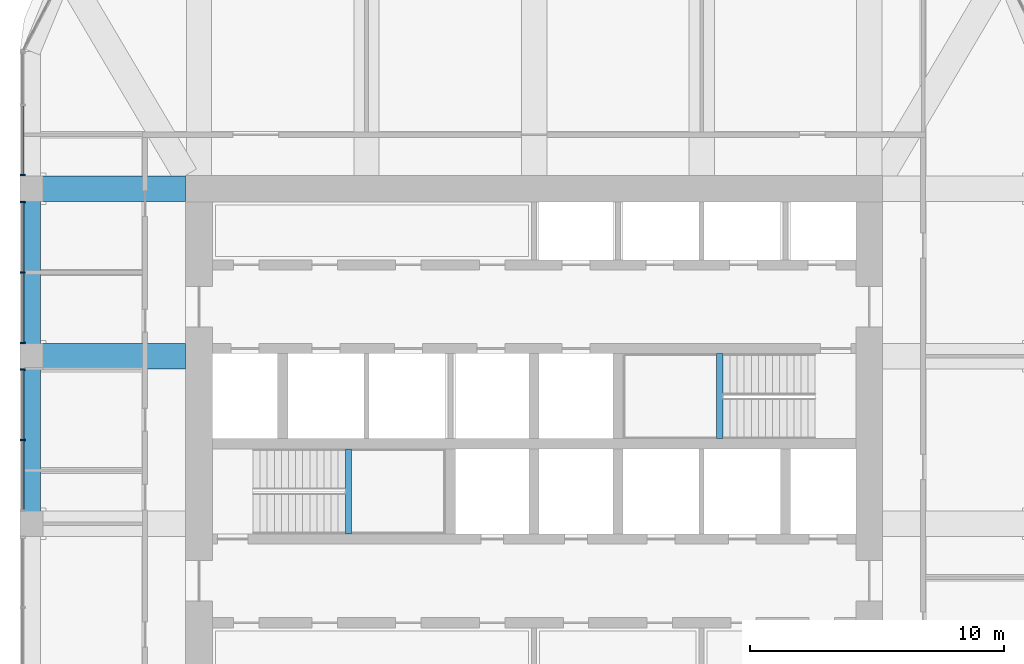
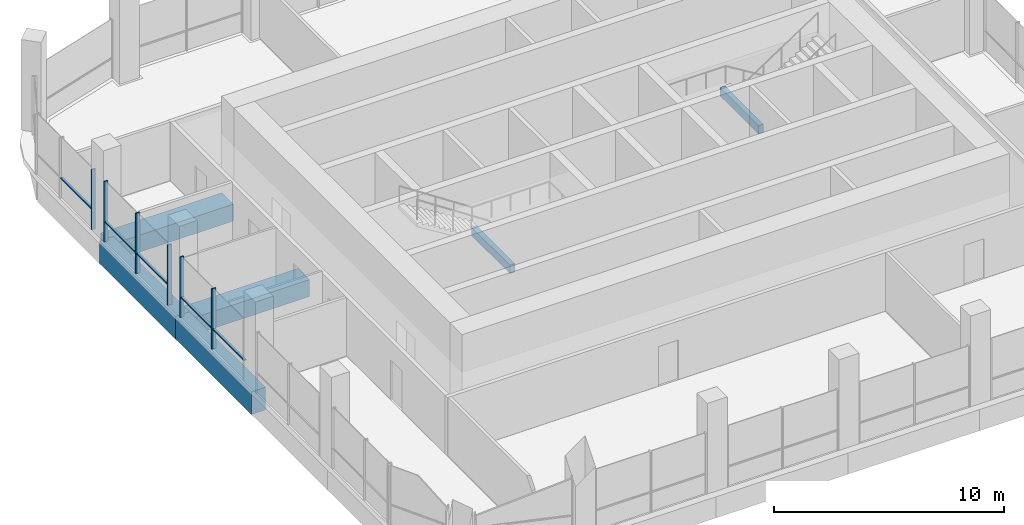
# One storey, part 3 of 13: 11 members, 6 beams, 3 elements without a shape of their own.
"""IFC4 building model written with IfcOpenShell, lengths in metres."""

from ifc_helpers import new_model, si_unit, direction, frame, origin, origin_2d, place, context, subcontext, project, spatial, rectangle, extrude, material, material_profile, profile_set, type_object, element, aggregate, save


model = new_model("IFC4")

# Units and contexts
model_context = context("Model", 3, precision=1e-05, world=origin(), true_north=direction((0.0, 1.0)))
body_context = subcontext(model_context, "Body", "Model", "MODEL_VIEW")
ifc_project = project(units=[si_unit("LENGTHUNIT", "METRE"), si_unit("AREAUNIT", "SQUARE_METRE"), si_unit("VOLUMEUNIT", "CUBIC_METRE"), si_unit("PLANEANGLEUNIT", "RADIAN"), si_unit("MASSUNIT", "GRAM", prefix="KILO")], contexts=[model_context])

# Site, building, storey
site_placement = place(None, origin())
site = spatial("IfcSite", under=ifc_project, at=site_placement, CompositionType="ELEMENT")
building_placement = place(site_placement, origin())
building = spatial("IfcBuilding", under=site, at=building_placement, Name="Cobogo Forest Laboratory Tower", CompositionType="ELEMENT")
storey_placement = place(building_placement, frame((0.0, 0.0, 288.0)))
storey = spatial("IfcBuildingStorey", under=building, at=storey_placement, Name="L66", CompositionType="ELEMENT", Elevation=288.0)

# Beams
ifc_material_1 = material(Name="Concrete HA-40 (C40/50)", Category="concrete")
ifc_material_profile_1 = material_profile(ifc_material_1, rectangle(XDim=0.25, YDim=0.449951171875, at=origin_2d()), Name="RC 250x450")
ifc_profile_set_1 = profile_set([ifc_material_profile_1], Name="Concrete HA-40 (C40/50)")
beam_type_1 = type_object("IfcBeamType", Name="LB1 landing beam 250x450", PredefinedType="BEAM", material=ifc_profile_set_1)
for number, where, z_axis, x_axis, name in (
    (1, (19.090087890625, 19.39990234375, 1.97509765625), (0.0, 1.0, 0.0), (-1.0, 0.0, 0.0), "Landing beam ST1 L66"),
    (2, (33.7099609375, 23.14990234375, 1.97509765625), (0.0, 1.0, 0.0), (-1.0, 0.0, 0.0), "Landing beam ST2 L66"),
):
    element("IfcBeam", number, at=place(storey_placement, frame(where, z_axis=z_axis, x_axis=x_axis)), inside=storey, type_object=beam_type_1, Name=name, PredefinedType="BEAM", context=body_context, shape_type="SweptSolid", body=[
        extrude(rectangle(XDim=0.25, YDim=0.449951171875, at=origin_2d()), origin(), (0.0, 0.0, 1.0), 3.35009765625),
    ])

# Curtain wall, member
ifc_material_2 = material(Name="Aluminium curtain wall", Category="aluminium")
curtain_wall_type = type_object("IfcCurtainWallType", Name="CW-C stick curtain wall, crown glazing, conference floor and roof pavilion", PredefinedType="USERDEFINED", material=ifc_material_2)
curtain_wall_1_placement = place(storey_placement, origin())
curtain_wall_1 = element("IfcCurtainWall", 3, at=curtain_wall_1_placement, inside=storey, type_object=curtain_wall_type, Name="Curtain wall 20 L66", ObjectType="STICK CURTAIN WALL", PredefinedType="USERDEFINED")
ifc_material_3 = material(Name="Aluminium mullion", Category="aluminium")
ifc_material_profile_2 = material_profile(ifc_material_3, rectangle(XDim=0.06005859375, YDim=0.199951171875, at=origin_2d()), Name="AL 60x200")
ifc_profile_set_2 = profile_set([ifc_material_profile_2], Name="Aluminium mullion")
member_type_1 = type_object("IfcMemberType", Name="MU-2 aluminium mullion 60x200", PredefinedType="MULLION", material=ifc_profile_set_2)
member_1_placement = place(storey_placement, frame((6.25, 33.530029296875, 0.0), z_axis=(0.0, 0.0, 1.0), x_axis=(0.0, -1.0, 0.0)))
member_1 = element("IfcMember", 4, at=member_1_placement, type_object=member_type_1, Name="CW-C mullion 3", PredefinedType="MULLION", context=body_context, shape_type="SweptSolid", body=[
    extrude(rectangle(XDim=0.06005859375, YDim=0.199951171875, at=origin_2d()), origin(), (0.0, 0.0, 1.0), 3.199951171875),
])

# Curtain wall, members
curtain_wall_2_placement = place(storey_placement, origin())
curtain_wall_2 = element("IfcCurtainWall", 5, at=curtain_wall_2_placement, inside=storey, type_object=curtain_wall_type, Name="Curtain wall 21 L66", ObjectType="STICK CURTAIN WALL", PredefinedType="USERDEFINED")
member_2_placement = place(storey_placement, frame((6.25, 32.469970703125, 0.0), z_axis=(0.0, 0.0, 1.0), x_axis=(0.0, -1.0, 0.0)))
member_2 = element("IfcMember", 6, at=member_2_placement, type_object=member_type_1, Name="CW-C mullion 1", PredefinedType="MULLION", context=body_context, shape_type="SweptSolid", body=[
    extrude(rectangle(XDim=0.06005859375, YDim=0.199951171875, at=origin_2d()), origin(), (0.0, 0.0, 1.0), 3.199951171875),
])
member_3_placement = place(storey_placement, frame((6.25, 29.699951171875, 0.0), z_axis=(0.0, 0.0, 1.0), x_axis=(0.0, -1.0, 0.0)))
member_3 = element("IfcMember", 7, at=member_3_placement, type_object=member_type_1, Name="CW-C mullion 2", PredefinedType="MULLION", context=body_context, shape_type="SweptSolid", body=[
    extrude(rectangle(XDim=0.06005859375, YDim=0.199951171875, at=origin_2d()), origin(), (0.0, 0.0, 1.0), 3.199951171875),
])
member_4_placement = place(storey_placement, frame((6.25, 26.929931640625, 0.0), z_axis=(0.0, 0.0, 1.0), x_axis=(0.0, -1.0, 0.0)))
member_4 = element("IfcMember", 8, at=member_4_placement, type_object=member_type_1, Name="CW-C mullion 3", PredefinedType="MULLION", context=body_context, shape_type="SweptSolid", body=[
    extrude(rectangle(XDim=0.06005859375, YDim=0.199951171875, at=origin_2d()), origin(), (0.0, 0.0, 1.0), 3.199951171875),
])

curtain_wall_3_placement = place(storey_placement, origin())
curtain_wall_3 = element("IfcCurtainWall", 9, at=curtain_wall_3_placement, inside=storey, type_object=curtain_wall_type, Name="Curtain wall 22 L66", ObjectType="STICK CURTAIN WALL", PredefinedType="USERDEFINED")
member_5_placement = place(storey_placement, frame((6.25, 25.8701171875, 0.0), z_axis=(0.0, 0.0, 1.0), x_axis=(0.0, -1.0, 0.0)))
member_5 = element("IfcMember", 10, at=member_5_placement, type_object=member_type_1, Name="CW-C mullion 1", PredefinedType="MULLION", context=body_context, shape_type="SweptSolid", body=[
    extrude(rectangle(XDim=0.06005859375, YDim=0.199951171875, at=origin_2d()), origin(), (0.0, 0.0, 1.0), 3.199951171875),
])
member_6_placement = place(storey_placement, frame((6.25, 23.10009765625, 0.0), z_axis=(0.0, 0.0, 1.0), x_axis=(0.0, -1.0, 0.0)))
member_6 = element("IfcMember", 11, at=member_6_placement, type_object=member_type_1, Name="CW-C mullion 2", PredefinedType="MULLION", context=body_context, shape_type="SweptSolid", body=[
    extrude(rectangle(XDim=0.06005859375, YDim=0.199951171875, at=origin_2d()), origin(), (0.0, 0.0, 1.0), 3.199951171875),
])

# Beams
ifc_material_profile_3 = material_profile(ifc_material_1, rectangle(XDim=1.0, YDim=0.89990234375, at=origin_2d()), Name="RC 1000x900")
ifc_profile_set_3 = profile_set([ifc_material_profile_3], Name="Concrete HA-40 (C40/50)")
beam_type_2 = type_object("IfcBeamType", Name="Office floor wide beam 1000x900", PredefinedType="BEAM", material=ifc_profile_set_3)
for number, where, z_axis, x_axis, name in (
    (12, (12.675048828125, 26.39990234375, -0.75), (-1.0, 0.0, 0.0), (0.0, -1.0, 0.0), "RB2 R-E-W L66"),
    (13, (12.675048828125, 33.0, -0.75), (-1.0, 0.0, 0.0), (0.0, -1.0, 0.0), "RB2 R-F-W L66"),
):
    element("IfcBeam", number, at=place(storey_placement, frame(where, z_axis=z_axis, x_axis=x_axis)), inside=storey, type_object=beam_type_2, Name=name, PredefinedType="BEAM", context=body_context, shape_type="SweptSolid", body=[
        extrude(rectangle(XDim=1.0, YDim=0.89990234375, at=origin_2d()), origin(), (0.0, 0.0, 1.0), 6.074951171875),
    ])
ifc_material_profile_4 = material_profile(ifc_material_1, rectangle(XDim=0.699951171875, YDim=1.199951171875, at=origin_2d()), Name="RC 700x1200")
ifc_profile_set_4 = profile_set([ifc_material_profile_4], Name="Concrete HA-40 (C40/50)")
beam_type_3 = type_object("IfcBeamType", Name="Perimeter edge beam 700x1200", PredefinedType="BEAM", material=ifc_profile_set_4)
beam_1_placement = place(storey_placement, frame((6.60009765625, 19.800048828125, -0.89990234375), z_axis=(0.0, 1.0, 0.0), x_axis=(-1.0, 0.0, 0.0)))
element("IfcBeam", 14, at=beam_1_placement, inside=storey, type_object=beam_type_3, Name="EB1 E-W2 L66", PredefinedType="BEAM", context=body_context, shape_type="SweptSolid", body=[
    extrude(rectangle(XDim=0.699951171875, YDim=1.199951171875, at=origin_2d()), origin(), (0.0, 0.0, 1.0), 6.599853515625),
])
beam_2_placement = place(storey_placement, frame((6.60009765625, 26.39990234375, -0.89990234375), z_axis=(0.0, 1.0, 0.0), x_axis=(-1.0, 0.0, 0.0)))
element("IfcBeam", 15, at=beam_2_placement, inside=storey, type_object=beam_type_3, Name="EB1 E-W3 L66", PredefinedType="BEAM", context=body_context, shape_type="SweptSolid", body=[
    extrude(rectangle(XDim=0.699951171875, YDim=1.199951171875, at=origin_2d()), origin(), (0.0, 0.0, 1.0), 6.60009765625),
])

# Member
ifc_material_4 = material(Name="Aluminium transom", Category="aluminium")
ifc_material_profile_5 = material_profile(ifc_material_4, rectangle(XDim=0.1201171875, YDim=0.06005859375, at=origin_2d()), Name="AL 60x120")
ifc_profile_set_5 = profile_set([ifc_material_profile_5], Name="Aluminium transom")
member_type_2 = type_object("IfcMemberType", Name="TR-1 aluminium transom 60x120", PredefinedType="USERDEFINED", material=ifc_profile_set_5)
member_7_placement = place(storey_placement, frame((6.25, 36.27001953125, 1.050048828125), z_axis=(0.0, -1.0, 0.0), x_axis=(1.0, 0.0, 0.0)))
member_7 = element("IfcMember", 16, at=member_7_placement, type_object=member_type_2, Name="CW-C transom 2.1", ObjectType="TRANSOM", PredefinedType="USERDEFINED", context=body_context, shape_type="SweptSolid", body=[
    extrude(rectangle(XDim=0.1201171875, YDim=0.06005859375, at=origin_2d()), origin(), (0.0, 0.0, 1.0), 2.7099609375),
])

aggregate(curtain_wall_1, [member_1, member_7])

member_8_placement = place(storey_placement, frame((6.25, 32.43994140625, 1.050048828125), z_axis=(0.0, -1.0, 0.0), x_axis=(1.0, 0.0, 0.0)))
member_8 = element("IfcMember", 17, at=member_8_placement, type_object=member_type_2, Name="CW-C transom 1.1", ObjectType="TRANSOM", PredefinedType="USERDEFINED", context=body_context, shape_type="SweptSolid", body=[
    extrude(rectangle(XDim=0.1201171875, YDim=0.06005859375, at=origin_2d()), origin(), (0.0, 0.0, 1.0), 2.7099609375),
])

member_9_placement = place(storey_placement, frame((6.25, 29.669921875, 1.050048828125), z_axis=(0.0, -1.0, 0.0), x_axis=(1.0, 0.0, 0.0)))
member_9 = element("IfcMember", 18, at=member_9_placement, type_object=member_type_2, Name="CW-C transom 2.1", ObjectType="TRANSOM", PredefinedType="USERDEFINED", context=body_context, shape_type="SweptSolid", body=[
    extrude(rectangle(XDim=0.1201171875, YDim=0.06005859375, at=origin_2d()), origin(), (0.0, 0.0, 1.0), 2.7099609375),
])

aggregate(curtain_wall_2, [member_2, member_3, member_4, member_8, member_9])

member_10_placement = place(storey_placement, frame((6.25, 25.840087890625, 1.050048828125), z_axis=(0.0, -1.0, 0.0), x_axis=(1.0, 0.0, 0.0)))
member_10 = element("IfcMember", 19, at=member_10_placement, type_object=member_type_2, Name="CW-C transom 1.1", ObjectType="TRANSOM", PredefinedType="USERDEFINED", context=body_context, shape_type="SweptSolid", body=[
    extrude(rectangle(XDim=0.1201171875, YDim=0.06005859375, at=origin_2d()), origin(), (0.0, 0.0, 1.0), 2.710205078125),
])

member_11_placement = place(storey_placement, frame((6.25, 23.070068359375, 1.050048828125), z_axis=(0.0, -1.0, 0.0), x_axis=(1.0, 0.0, 0.0)))
member_11 = element("IfcMember", 20, at=member_11_placement, type_object=member_type_2, Name="CW-C transom 2.1", ObjectType="TRANSOM", PredefinedType="USERDEFINED", context=body_context, shape_type="SweptSolid", body=[
    extrude(rectangle(XDim=0.1201171875, YDim=0.06005859375, at=origin_2d()), origin(), (0.0, 0.0, 1.0), 2.7099609375),
])

aggregate(curtain_wall_3, [member_5, member_6, member_10, member_11])

save(model, "model.ifc")
